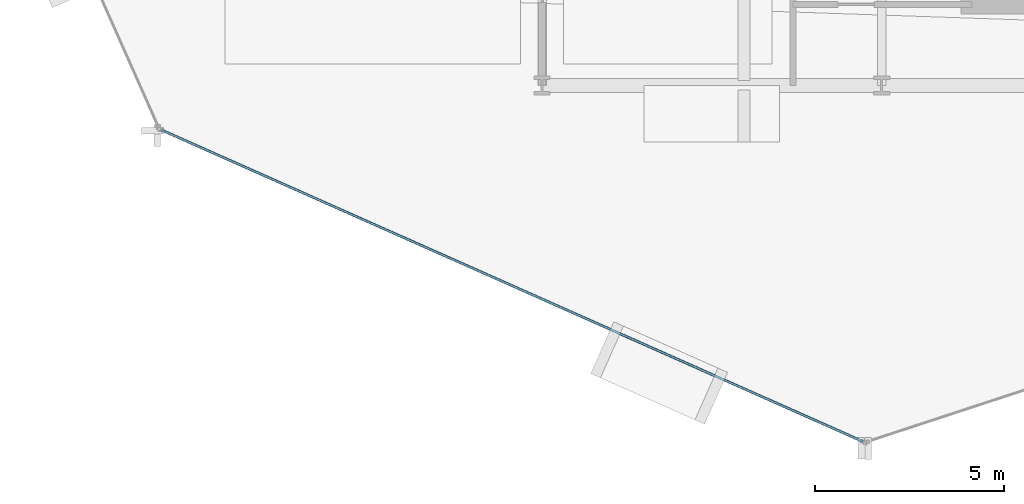
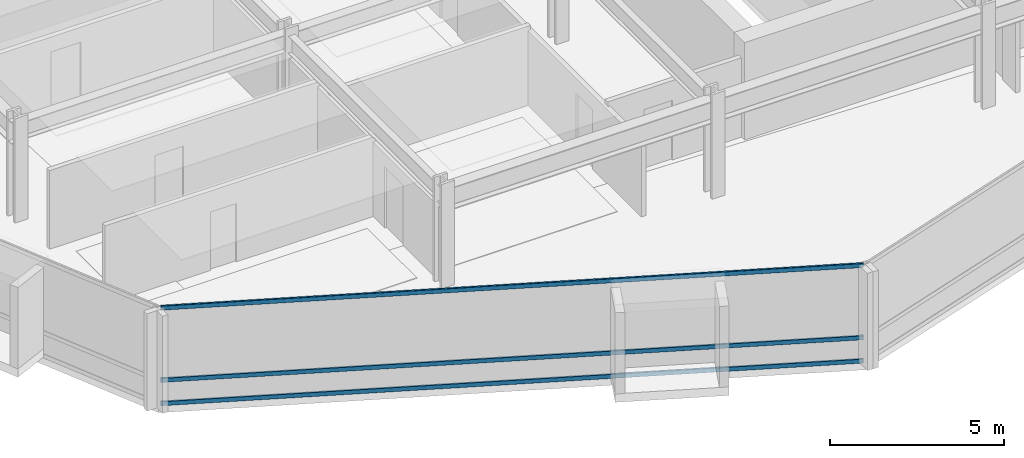
# One storey, part 3 of 34: 3 members, 1 element without a shape of its own.
"""IFC4 building model written with IfcOpenShell, lengths in metres."""

from ifc_helpers import new_model, si_unit, direction, frame, origin, origin_2d, place, context, subcontext, project, spatial, hollow_rectangle, extrude, material, layer, layer_set, material_profile, profile_set, type_object, element, aggregate, save


model = new_model("IFC4")

# Units and contexts
model_context = context("Model", 3, precision=1e-05, world=origin(), true_north=direction((0.0, 1.0)))
body_context = subcontext(model_context, "Body", "Model", "MODEL_VIEW")
ifc_project = project(units=[si_unit("LENGTHUNIT", "METRE"), si_unit("AREAUNIT", "SQUARE_METRE"), si_unit("VOLUMEUNIT", "CUBIC_METRE"), si_unit("PLANEANGLEUNIT", "RADIAN"), si_unit("MASSUNIT", "GRAM", prefix="KILO")], contexts=[model_context])

# Site, building, storey
site_placement = place(None, origin())
site = spatial("IfcSite", under=ifc_project, at=site_placement, CompositionType="ELEMENT")
building_placement = place(site_placement, origin())
building = spatial("IfcBuilding", under=site, at=building_placement, Name="Solvaryn Broadcast Tower", CompositionType="ELEMENT")
storey_placement = place(building_placement, frame((0.0, 0.0, 65.60009765625)))
storey = spatial("IfcBuildingStorey", under=building, at=storey_placement, Name="L15", CompositionType="ELEMENT", Elevation=65.60009765625)

# Curtain wall, members
ifc_material_1 = material(Name="Aluminium and Terracotta Unitised Curtain Wall", Category="masonry")
ifc_layer = layer(ifc_material_1, 0.199951171875)
ifc_layer_set = layer_set([ifc_layer], Name="CW-SYS2-LOWMID")
curtain_wall_type = type_object("IfcCurtainWallType", Name="CW-SYS2-LOWMID", PredefinedType="NOTDEFINED", material=ifc_layer_set)
curtain_wall_placement = place(storey_placement, origin())
curtain_wall = element("IfcCurtainWall", 1, at=curtain_wall_placement, inside=storey, type_object=curtain_wall_type, Name="L15 Curtain Wall DR3", PredefinedType="NOTDEFINED")
ifc_material_2 = material(Name="Anodised Aluminium 6063-T6", Category="aluminium")
ifc_material_profile = material_profile(ifc_material_2, hollow_rectangle(XDim=0.06494140625, YDim=0.14990234375, WallThickness=0.00390625, InnerFilletRadius=0.00390625, OuterFilletRadius=0.008056640625, at=origin_2d()))
ifc_profile_set = profile_set([ifc_material_profile], Name="Anodised Aluminium 6063-T6")
member_type = type_object("IfcMemberType", Name="CW-TRN-150", PredefinedType="USERDEFINED", material=ifc_profile_set)
member_1_placement = place(storey_placement, frame((7.90185546875, 7.82275390625, 0.02978515625), z_axis=(0.913914888191, -0.405905872269, 0.0), x_axis=(0.405905872269, 0.913914888191, 0.0)))
member_1 = element("IfcMember", 2, at=member_1_placement, type_object=member_type, Name="CWS2 transom 1.1", ObjectType="TRANSOM", PredefinedType="USERDEFINED", context=body_context, shape_type="SweptSolid", body=[
    extrude(hollow_rectangle(XDim=0.06494140625, YDim=0.14990234375, WallThickness=0.00390625, InnerFilletRadius=0.00390625, OuterFilletRadius=0.008056640625, at=origin_2d()), origin(), (0.0, 0.0, 1.0), 20.35546875),
])
member_2_placement = place(storey_placement, frame((7.90185546875, 7.82275390625, 0.849853515625), z_axis=(0.913914888191, -0.405905872269, 0.0), x_axis=(0.405905872269, 0.913914888191, 0.0)))
member_2 = element("IfcMember", 3, at=member_2_placement, type_object=member_type, Name="CWS2 transom 1.2", ObjectType="TRANSOM", PredefinedType="USERDEFINED", context=body_context, shape_type="SweptSolid", body=[
    extrude(hollow_rectangle(XDim=0.06494140625, YDim=0.14990234375, WallThickness=0.00390625, InnerFilletRadius=0.00390625, OuterFilletRadius=0.008056640625, at=origin_2d()), origin(), (0.0, 0.0, 1.0), 20.35546875),
])
member_3_placement = place(storey_placement, frame((7.90185546875, 7.82275390625, 3.389892578125), z_axis=(0.913914888191, -0.405905872269, 0.0), x_axis=(0.405905872269, 0.913914888191, 0.0)))
member_3 = element("IfcMember", 4, at=member_3_placement, type_object=member_type, Name="CWS2 transom 1.3", ObjectType="TRANSOM", PredefinedType="USERDEFINED", context=body_context, shape_type="SweptSolid", body=[
    extrude(hollow_rectangle(XDim=0.06494140625, YDim=0.14990234375, WallThickness=0.00390625, InnerFilletRadius=0.00390625, OuterFilletRadius=0.008056640625, at=origin_2d()), origin(), (0.0, 0.0, 1.0), 20.35546875),
])
aggregate(curtain_wall, [member_1, member_2, member_3])

save(model, "model.ifc")
